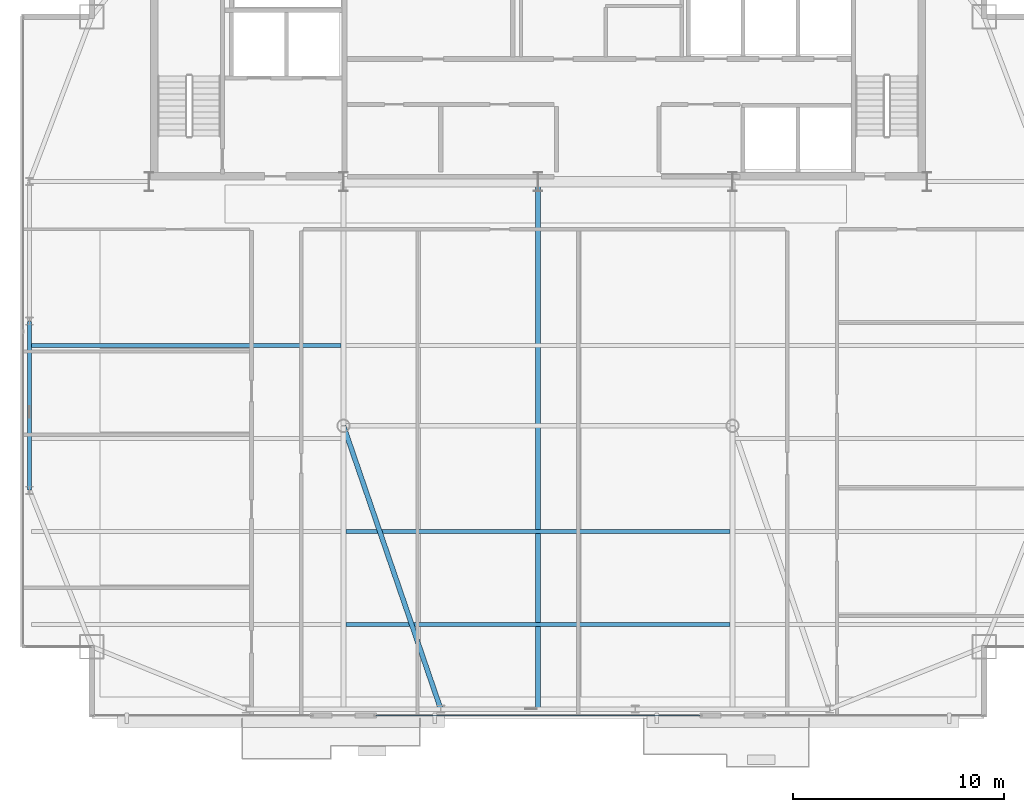
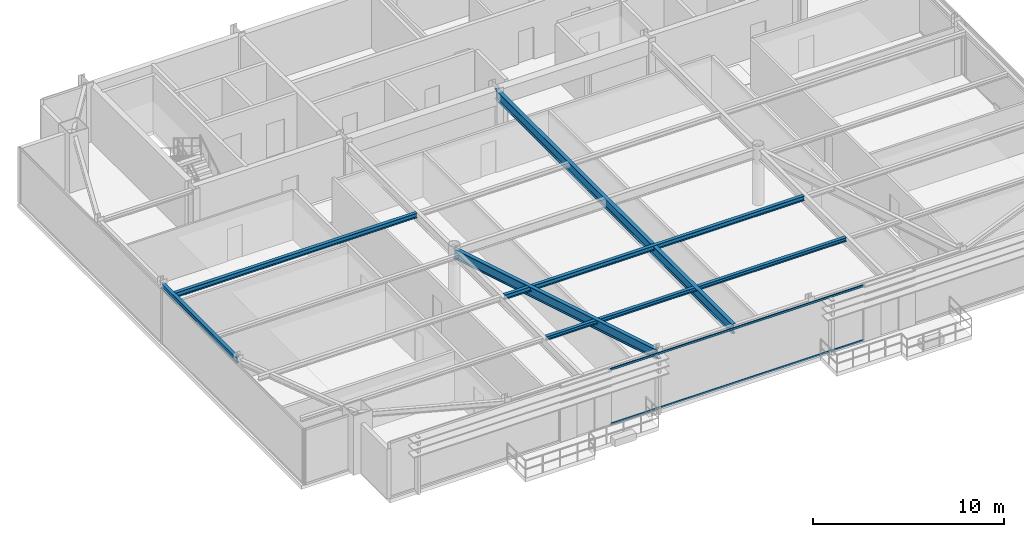
# One storey, part 9 of 30: 6 beams, 2 members, 1 element without a shape of its own.
"""IFC4 building model written with IfcOpenShell, lengths in metres."""

from ifc_helpers import new_model, si_unit, direction, frame, origin, origin_2d, place, context, subcontext, project, spatial, hollow_rectangle, i_section, extrude, source, transform, mapped, material, layer, layer_set, material_profile, profile_set, type_object, type_shapes, element, aggregate, save


model = new_model("IFC4")

# Units and contexts
model_context = context("Model", 3, precision=1e-05, world=origin(), true_north=direction((0.0, 1.0)))
body_context = subcontext(model_context, "Body", "Model", "MODEL_VIEW")
ifc_project = project(units=[si_unit("LENGTHUNIT", "METRE"), si_unit("AREAUNIT", "SQUARE_METRE"), si_unit("VOLUMEUNIT", "CUBIC_METRE"), si_unit("PLANEANGLEUNIT", "RADIAN"), si_unit("MASSUNIT", "GRAM", prefix="KILO")], contexts=[model_context])

# Site, building, storey
site_placement = place(None, origin())
site = spatial("IfcSite", under=ifc_project, at=site_placement, CompositionType="ELEMENT")
building_placement = place(site_placement, origin())
building = spatial("IfcBuilding", under=site, at=building_placement, Name="Varnel Quay Broadcast Tower", CompositionType="ELEMENT")
storey_placement = place(building_placement, frame((0.0, 0.0, 207.39990234375)))
storey = spatial("IfcBuildingStorey", under=building, at=storey_placement, Name="L51", CompositionType="ELEMENT", Elevation=207.39990234375)

# Beams
ifc_material_1 = material(Name="Structural Steel CSA G40.21 350W", Category="steel")
ifc_material_profile_1 = material_profile(ifc_material_1, i_section(OverallWidth=0.205078125, OverallDepth=0.35400390625, WebThickness=0.009521484375, FlangeThickness=0.016845703125, FilletRadius=0.012939453125, at=origin_2d()), Name="W360X79")
ifc_profile_set_1 = profile_set([ifc_material_profile_1], Name="Structural Steel CSA G40.21 350W")
beam_type_1 = type_object("IfcBeamType", Name="Beam_W360X79", PredefinedType="SPANDREL", material=ifc_profile_set_1)
shared_shape_1 = source(origin(), body_context, "Body", "SweptSolid", [
    extrude(i_section(OverallWidth=0.205078125, OverallDepth=0.35400390625, WebThickness=0.009521484375, FlangeThickness=0.016845703125, FilletRadius=0.012939453125, at=origin_2d()), origin(), (0.0, 0.0, 1.0), 7.9599609375),
])
type_shapes(beam_type_1, [shared_shape_1])
beam_1_placement = place(storey_placement, frame((9.949951171875, 21.02001953125, 3.373046875), z_axis=(0.0, 1.0, 0.0), x_axis=(-1.0, 0.0, 0.0)))
element("IfcBeam", 1, at=beam_1_placement, inside=storey, type_object=beam_type_1, Name="L51 West Spandrel TC-W1-TC-W2", PredefinedType="SPANDREL", context=body_context, shape_type="MappedRepresentation", body=[
    mapped(shared_shape_1, transform((0.0, 0.0, 0.0), x_axis=(1.0, 0.0, 0.0), y_axis=(0.0, 1.0, 0.0), z_axis=(0.0, 0.0, 1.0), scale=1.0)),
])
ifc_material_profile_2 = material_profile(ifc_material_1, i_section(OverallWidth=0.22998046875, OverallDepth=0.616943359375, WebThickness=0.01318359375, FlangeThickness=0.022216796875, FilletRadius=0.01611328125, at=origin_2d()), Name="W610X140")
ifc_profile_set_2 = profile_set([ifc_material_profile_2], Name="Structural Steel CSA G40.21 350W")
beam_type_2 = type_object("IfcBeamType", Name="Girder_W610X140", PredefinedType="BEAM", material=ifc_profile_set_2)
shared_shape_2 = source(origin(), body_context, "Body", "SweptSolid", [
    extrude(i_section(OverallWidth=0.22998046875, OverallDepth=0.616943359375, WebThickness=0.01318359375, FlangeThickness=0.022216796875, FilletRadius=0.01611328125, at=origin_2d()), origin(), (0.0, 0.0, 1.0), 14.12744140625),
])
beam_2_placement = place(storey_placement, frame((29.3935546875, 10.6689453125, 3.24169921875), z_axis=(-0.324696747868, 0.945818175932, 0.0), x_axis=(-0.945818175932, -0.324696747868, 0.0)))
element("IfcBeam", 2, at=beam_2_placement, inside=storey, type_object=beam_type_2, Name="L51 Primary Girder TC-S2-IC-01", PredefinedType="BEAM", context=body_context, shape_type="MappedRepresentation", body=[
    mapped(shared_shape_2, transform((0.0, 0.0, 0.0), x_axis=(1.0, 0.0, 0.0), y_axis=(0.0, 1.0, 0.0), z_axis=(0.0, 0.0, 1.0), scale=1.0)),
])
shared_shape_3 = source(origin(), body_context, "Body", "SweptSolid", [
    extrude(i_section(OverallWidth=0.22998046875, OverallDepth=0.616943359375, WebThickness=0.01318359375, FlangeThickness=0.022216796875, FilletRadius=0.01611328125, at=origin_2d()), origin(), (0.0, 0.0, 1.0), 24.91015625),
])
type_shapes(beam_type_2, [shared_shape_2, shared_shape_3])
beam_3_placement = place(storey_placement, frame((34.0, 10.669921875, 3.24169921875), z_axis=(0.0, 1.0, 0.0), x_axis=(-1.0, 0.0, 0.0)))
element("IfcBeam", 3, at=beam_3_placement, inside=storey, type_object=beam_type_2, Name="L51 Central Bay Girder", PredefinedType="BEAM", context=body_context, shape_type="MappedRepresentation", body=[
    mapped(shared_shape_3, transform((0.0, 0.0, 0.0), x_axis=(1.0, 0.0, 0.0), y_axis=(0.0, 1.0, 0.0), z_axis=(0.0, 0.0, 1.0), scale=1.0)),
])
ifc_material_profile_3 = material_profile(ifc_material_1, i_section(OverallWidth=0.201904296875, OverallDepth=0.2470703125, WebThickness=0.00732421875, FlangeThickness=0.010986328125, FilletRadius=0.010986328125, at=origin_2d()), Name="W250X49")
ifc_profile_set_3 = profile_set([ifc_material_profile_3], Name="Structural Steel CSA G40.21 350W")
beam_type_3 = type_object("IfcBeamType", Name="Beam_W250X49", PredefinedType="JOIST", material=ifc_profile_set_3)
shared_shape_4 = source(origin(), body_context, "Body", "SweptSolid", [
    extrude(i_section(OverallWidth=0.201904296875, OverallDepth=0.2470703125, WebThickness=0.00732421875, FlangeThickness=0.010986328125, FilletRadius=0.010986328125, at=origin_2d()), origin(), (0.0, 0.0, 1.0), 18.18017578125),
])
type_shapes(beam_type_3, [shared_shape_4])
beam_4_placement = place(storey_placement, frame((24.909912109375, 14.64990234375, 3.426513671875), z_axis=(1.0, 0.0, 0.0), x_axis=(0.0, 1.0, 0.0)))
element("IfcBeam", 4, at=beam_4_placement, inside=storey, type_object=beam_type_3, Name="L51 Central Floor Joist 1", PredefinedType="JOIST", context=body_context, shape_type="MappedRepresentation", body=[
    mapped(shared_shape_4, transform((0.0, 0.0, 0.0), x_axis=(1.0, 0.0, 0.0), y_axis=(0.0, 1.0, 0.0), z_axis=(0.0, 0.0, 1.0), scale=1.0)),
])
ifc_material_profile_4 = material_profile(ifc_material_1, i_section(OverallWidth=0.202880859375, OverallDepth=0.302978515625, WebThickness=0.007568359375, FlangeThickness=0.01318359375, FilletRadius=0.011962890625, at=origin_2d()), Name="W310X60")
ifc_profile_set_4 = profile_set([ifc_material_profile_4], Name="Structural Steel CSA G40.21 350W")
beam_type_4 = type_object("IfcBeamType", Name="Beam_W310X60", PredefinedType="JOIST", material=ifc_profile_set_4)
shared_shape_5 = source(origin(), body_context, "Body", "SweptSolid", [
    extrude(i_section(OverallWidth=0.202880859375, OverallDepth=0.302978515625, WebThickness=0.007568359375, FlangeThickness=0.01318359375, FilletRadius=0.011962890625, at=origin_2d()), origin(), (0.0, 0.0, 1.0), 14.642333984375),
])
beam_5_placement = place(storey_placement, frame((10.047607421875, 27.85009765625, 3.398681640625), z_axis=(1.0, 0.0, 0.0), x_axis=(0.0, 1.0, 0.0)))
element("IfcBeam", 5, at=beam_5_placement, inside=storey, type_object=beam_type_4, Name="L51 West Floor Joist 4", PredefinedType="JOIST", context=body_context, shape_type="MappedRepresentation", body=[
    mapped(shared_shape_5, transform((0.0, 0.0, 0.0), x_axis=(1.0, 0.0, 0.0), y_axis=(0.0, 1.0, 0.0), z_axis=(0.0, 0.0, 1.0), scale=1.0)),
])
shared_shape_6 = source(origin(), body_context, "Body", "SweptSolid", [
    extrude(i_section(OverallWidth=0.202880859375, OverallDepth=0.302978515625, WebThickness=0.007568359375, FlangeThickness=0.01318359375, FilletRadius=0.011962890625, at=origin_2d()), origin(), (0.0, 0.0, 1.0), 18.18017578125),
])
type_shapes(beam_type_4, [shared_shape_5, shared_shape_6])
beam_6_placement = place(storey_placement, frame((24.909912109375, 19.050048828125, 3.398681640625), z_axis=(1.0, 0.0, 0.0), x_axis=(0.0, 1.0, 0.0)))
element("IfcBeam", 6, at=beam_6_placement, inside=storey, type_object=beam_type_4, Name="L51 Central Floor Joist 2", PredefinedType="JOIST", context=body_context, shape_type="MappedRepresentation", body=[
    mapped(shared_shape_6, transform((0.0, 0.0, 0.0), x_axis=(1.0, 0.0, 0.0), y_axis=(0.0, 1.0, 0.0), z_axis=(0.0, 0.0, 1.0), scale=1.0)),
])

# Curtain wall, members
ifc_material_2 = material(Name="Anodised Bronze Aluminium 6063-T6", Category="aluminium")
ifc_layer = layer(ifc_material_2, 0.18994140625, Name="Anodised Bronze Aluminium 6063-T6")
ifc_layer_set = layer_set([ifc_layer], Name="Anodised Bronze Aluminium 6063-T6")
curtain_wall_type = type_object("IfcCurtainWallType", Name="CW_UpperTower", PredefinedType="NOTDEFINED", material=ifc_layer_set)
curtain_wall_placement = place(storey_placement, origin())
curtain_wall = element("IfcCurtainWall", 7, at=curtain_wall_placement, inside=storey, type_object=curtain_wall_type, Name="L51 South Unitised Curtain Wall 2", PredefinedType="NOTDEFINED")
ifc_material_profile_5 = material_profile(ifc_material_2, hollow_rectangle(XDim=0.06005859375, YDim=0.125, WallThickness=0.0029296875, at=origin_2d()), Name="ALU60X125X3")
ifc_profile_set_5 = profile_set([ifc_material_profile_5], Name="Anodised Bronze Aluminium 6063-T6")
member_type = type_object("IfcMemberType", Name="Tran_CWS-03", PredefinedType="USERDEFINED", material=ifc_profile_set_5)
shared_shape_7 = source(origin(), body_context, "Body", "SweptSolid", [
    extrude(hollow_rectangle(XDim=0.06005859375, YDim=0.125, WallThickness=0.0029296875, at=origin_2d()), origin(), (0.0, 0.0, 1.0), 15.31005859375),
])
type_shapes(member_type, [shared_shape_7])
member_1_placement = place(storey_placement, frame((26.344970703125, 10.35009765625, 0.030029296875), z_axis=(1.0, 0.0, 0.0), x_axis=(0.0, 1.0, 0.0)))
member_1 = element("IfcMember", 8, at=member_1_placement, type_object=member_type, Name="CWS-03 transom 1.1", ObjectType="TRANSOM", PredefinedType="USERDEFINED", context=body_context, shape_type="MappedRepresentation", body=[
    mapped(shared_shape_7, transform((0.0, 0.0, 0.0), x_axis=(1.0, 0.0, 0.0), y_axis=(0.0, 1.0, 0.0), z_axis=(0.0, 0.0, 1.0), scale=1.0)),
])
member_2_placement = place(storey_placement, frame((26.344970703125, 10.35009765625, 3.52001953125), z_axis=(1.0, 0.0, 0.0), x_axis=(0.0, 1.0, 0.0)))
member_2 = element("IfcMember", 9, at=member_2_placement, type_object=member_type, Name="CWS-03 transom 1.2", ObjectType="TRANSOM", PredefinedType="USERDEFINED", context=body_context, shape_type="MappedRepresentation", body=[
    mapped(shared_shape_7, transform((0.0, 0.0, 0.0), x_axis=(1.0, 0.0, 0.0), y_axis=(0.0, 1.0, 0.0), z_axis=(0.0, 0.0, 1.0), scale=1.0)),
])
aggregate(curtain_wall, [member_1, member_2])

save(model, "model.ifc")
